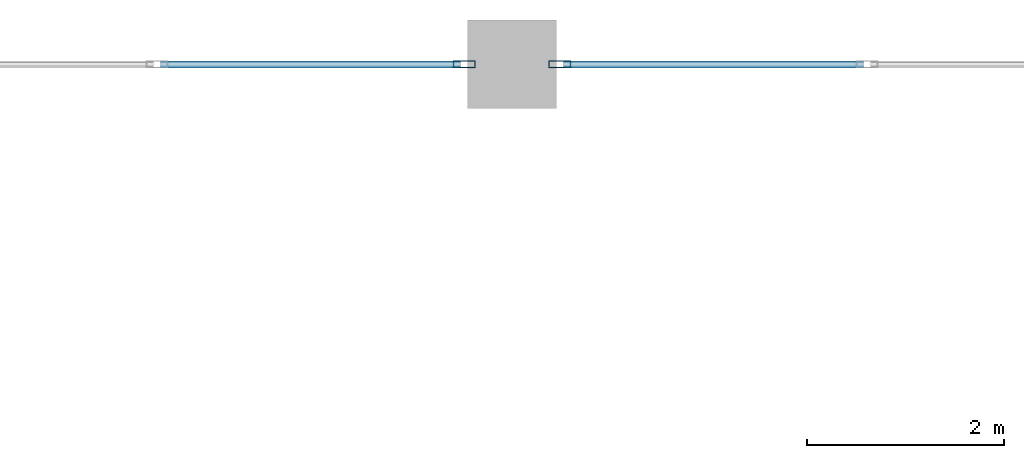
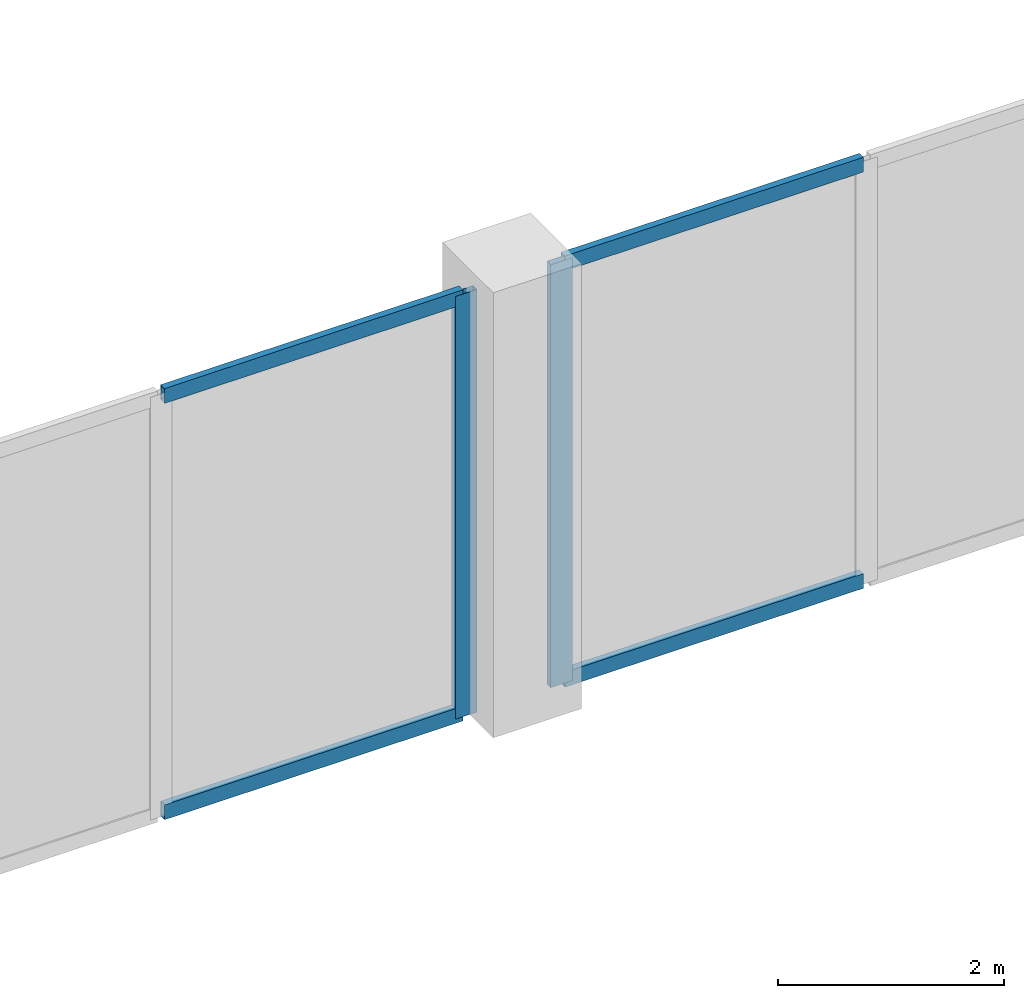
# One storey, part 49 of 120: 6 members, 2 elements without a shape of their own.
"""IFC4 building model written with IfcOpenShell, lengths in metres."""

from ifc_helpers import new_model, si_unit, direction, frame, origin, origin_2d, place, context, subcontext, project, spatial, hollow_rectangle, extrude, material, material_profile, profile_set, type_object, element, aggregate, save


model = new_model("IFC4")

# Units and contexts
model_context = context("Model", 3, precision=1e-05, world=origin(), true_north=direction((0.0, 1.0)))
body_context = subcontext(model_context, "Body", "Model", "MODEL_VIEW")
ifc_project = project(units=[si_unit("LENGTHUNIT", "METRE"), si_unit("AREAUNIT", "SQUARE_METRE"), si_unit("VOLUMEUNIT", "CUBIC_METRE"), si_unit("PLANEANGLEUNIT", "RADIAN"), si_unit("MASSUNIT", "GRAM", prefix="KILO")], contexts=[model_context])

# Site, building, storey
site_placement = place(None, origin())
site = spatial("IfcSite", under=ifc_project, at=site_placement, CompositionType="ELEMENT")
building_placement = place(site_placement, origin())
building = spatial("IfcBuilding", under=site, at=building_placement, Name="Vesperath Aquatics Centre", CompositionType="ELEMENT")
storey_placement = place(building_placement, frame((0.0, 0.0, 10.199951171875)))
storey = spatial("IfcBuildingStorey", under=building, at=storey_placement, Name="L02", CompositionType="ELEMENT", Elevation=10.199951171875)

# Curtain wall, member
ifc_material_1 = material(Name="Thermally broken anodised bronze aluminium curtain wall", Category="aluminium")
curtain_wall_type = type_object("IfcCurtainWallType", Name="CW-02", PredefinedType="NOTDEFINED", material=ifc_material_1)
curtain_wall_1_placement = place(storey_placement, origin())
curtain_wall_1 = element("IfcCurtainWall", 1, at=curtain_wall_1_placement, inside=storey, type_object=curtain_wall_type, Name="Facade Curtain Wall CW02 L02_N_03_16", PredefinedType="NOTDEFINED")
ifc_material_2 = material(Name="Thermally broken anodised aluminium", Category="aluminium")
ifc_material_profile_1 = material_profile(ifc_material_2, hollow_rectangle(XDim=0.070068359375, YDim=0.219970703125, WallThickness=0.0048828125, at=origin_2d()), Name="CWM 70x220x5")
ifc_profile_set_1 = profile_set([ifc_material_profile_1], Name="Thermally broken anodised aluminium")
member_type_1 = type_object("IfcMemberType", Name="MB-CWM2", PredefinedType="MULLION", material=ifc_profile_set_1)
member_1_placement = place(storey_placement, frame((28.31494140625, 115.199951171875, 0.0), z_axis=(0.0, 0.0, 1.0), x_axis=(0.0, 1.0, 0.0)))
member_1 = element("IfcMember", 2, at=member_1_placement, type_object=member_type_1, Name="CW02 mullion 3", PredefinedType="MULLION", context=body_context, shape_type="SweptSolid", body=[
    extrude(hollow_rectangle(XDim=0.070068359375, YDim=0.219970703125, WallThickness=0.0048828125, at=origin_2d()), origin(), (0.0, 0.0, 1.0), 4.56005859375),
])

curtain_wall_2_placement = place(storey_placement, origin())
curtain_wall_2 = element("IfcCurtainWall", 3, at=curtain_wall_2_placement, inside=storey, type_object=curtain_wall_type, Name="Facade Curtain Wall CW02 L02_N_04_16", PredefinedType="NOTDEFINED")
member_2_placement = place(storey_placement, frame((29.284912109375, 115.199951171875, 0.0), z_axis=(0.0, 0.0, 1.0), x_axis=(0.0, 1.0, 0.0)))
member_2 = element("IfcMember", 4, at=member_2_placement, type_object=member_type_1, Name="CW02 mullion 1", PredefinedType="MULLION", context=body_context, shape_type="SweptSolid", body=[
    extrude(hollow_rectangle(XDim=0.070068359375, YDim=0.219970703125, WallThickness=0.0048828125, at=origin_2d()), origin(), (0.0, 0.0, 1.0), 4.56005859375),
])

# Member
ifc_material_profile_2 = material_profile(ifc_material_2, hollow_rectangle(XDim=0.070068359375, YDim=0.159912109375, WallThickness=0.0048828125, at=origin_2d()), Name="CWT 70x160x5")
ifc_profile_set_2 = profile_set([ifc_material_profile_2], Name="Thermally broken anodised aluminium")
member_type_2 = type_object("IfcMemberType", Name="MB-CWT2", PredefinedType="USERDEFINED", material=ifc_profile_set_2)
member_3_placement = place(storey_placement, frame((25.235107421875, 115.199951171875, 0.03515625), z_axis=(1.0, 0.0, 0.0), x_axis=(0.0, 1.0, 0.0)))
member_3 = element("IfcMember", 5, at=member_3_placement, type_object=member_type_2, Name="CW02 transom 2.1", ObjectType="TRANSOM", PredefinedType="USERDEFINED", context=body_context, shape_type="SweptSolid", body=[
    extrude(hollow_rectangle(XDim=0.070068359375, YDim=0.159912109375, WallThickness=0.0048828125, at=origin_2d()), origin(), (0.0, 0.0, 1.0), 3.044921875),
])

member_4_placement = place(storey_placement, frame((25.235107421875, 115.199951171875, 4.525146484375), z_axis=(1.0, 0.0, 0.0), x_axis=(0.0, 1.0, 0.0)))
member_4 = element("IfcMember", 6, at=member_4_placement, type_object=member_type_2, Name="CW02 transom 2.2", ObjectType="TRANSOM", PredefinedType="USERDEFINED", context=body_context, shape_type="SweptSolid", body=[
    extrude(hollow_rectangle(XDim=0.070068359375, YDim=0.159912109375, WallThickness=0.0048828125, at=origin_2d()), origin(), (0.0, 0.0, 1.0), 3.044921875),
])

aggregate(curtain_wall_1, [member_1, member_3, member_4])

member_5_placement = place(storey_placement, frame((29.320068359375, 115.199951171875, 0.03515625), z_axis=(1.0, 0.0, 0.0), x_axis=(0.0, 1.0, 0.0)))
member_5 = element("IfcMember", 7, at=member_5_placement, type_object=member_type_2, Name="CW02 transom 1.1", ObjectType="TRANSOM", PredefinedType="USERDEFINED", context=body_context, shape_type="SweptSolid", body=[
    extrude(hollow_rectangle(XDim=0.070068359375, YDim=0.159912109375, WallThickness=0.0048828125, at=origin_2d()), origin(), (0.0, 0.0, 1.0), 3.044921875),
])

member_6_placement = place(storey_placement, frame((29.320068359375, 115.199951171875, 4.525146484375), z_axis=(1.0, 0.0, 0.0), x_axis=(0.0, 1.0, 0.0)))
member_6 = element("IfcMember", 8, at=member_6_placement, type_object=member_type_2, Name="CW02 transom 1.2", ObjectType="TRANSOM", PredefinedType="USERDEFINED", context=body_context, shape_type="SweptSolid", body=[
    extrude(hollow_rectangle(XDim=0.070068359375, YDim=0.159912109375, WallThickness=0.0048828125, at=origin_2d()), origin(), (0.0, 0.0, 1.0), 3.044921875),
])

aggregate(curtain_wall_2, [member_2, member_5, member_6])

save(model, "model.ifc")
